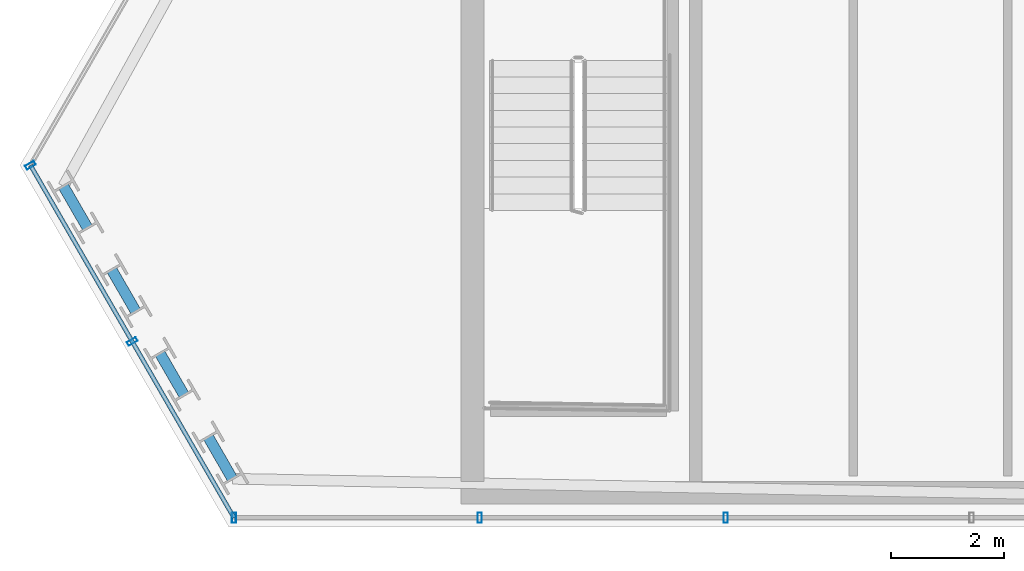
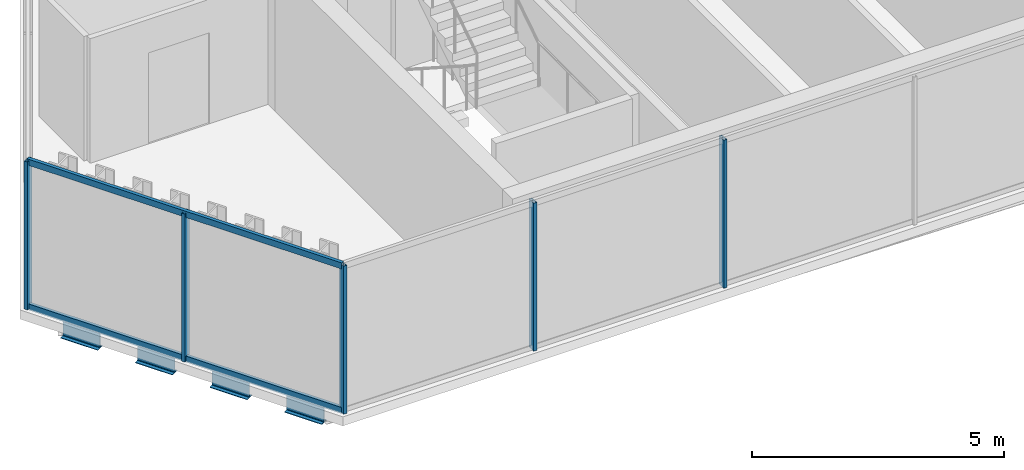
# One storey, part 2 of 29: 7 members, 4 beams, 2 elements without a shape of their own.
"""IFC4 building model written with IfcOpenShell, lengths in metres."""

from ifc_helpers import new_model, si_unit, direction, frame, origin, origin_2d, place, context, subcontext, project, spatial, hollow_rectangle, i_section, extrude, material, layer, layer_set, material_profile, profile_set, type_object, element, aggregate, save


model = new_model("IFC4")

# Units and contexts
model_context = context("Model", 3, precision=1e-05, world=origin(), true_north=direction((0.0, 1.0)))
body_context = subcontext(model_context, "Body", "Model", "MODEL_VIEW")
ifc_project = project(units=[si_unit("LENGTHUNIT", "METRE"), si_unit("AREAUNIT", "SQUARE_METRE"), si_unit("VOLUMEUNIT", "CUBIC_METRE"), si_unit("PLANEANGLEUNIT", "RADIAN"), si_unit("MASSUNIT", "GRAM", prefix="KILO")], contexts=[model_context])

# Site, building, storey
site_placement = place(None, origin())
site = spatial("IfcSite", under=ifc_project, at=site_placement, CompositionType="ELEMENT")
building_placement = place(site_placement, origin())
building = spatial("IfcBuilding", under=site, at=building_placement, Name="Ndaravel Arena Tower", CompositionType="ELEMENT")
storey_placement = place(building_placement, frame((0.0, 0.0, 233.199951171875)))
storey = spatial("IfcBuildingStorey", under=building, at=storey_placement, Name="L56", CompositionType="ELEMENT", Elevation=233.199951171875)

# Beams
ifc_material_1 = material(Name="Steel S355", Category="steel")
ifc_material_profile_1 = material_profile(ifc_material_1, i_section(OverallWidth=0.18994140625, OverallDepth=0.449951171875, WebThickness=0.009521484375, FlangeThickness=0.0146484375, FilletRadius=0.02099609375, at=origin_2d()), Name="IPE 450")
ifc_profile_set_1 = profile_set([ifc_material_profile_1], Name="Steel S355")
beam_type = type_object("IfcBeamType", Name="BM-SPAN-IPE450", PredefinedType="SPANDREL", material=ifc_profile_set_1)
for number, where, z_axis, x_axis, name in (
    (1, (19.41455078125, 11.025146484375, -0.445068359375), (0.5001680112, -0.86592838074, 0.0), (0.86592838074, 0.5001680112, 0.0), "L56 Perimeter Spandrel Beam SP-20"),
    (2, (20.268310546875, 9.54638671875, -0.445068359375), (0.5001680112, -0.86592838074, 0.0), (0.86592838074, 0.5001680112, 0.0), "L56 Perimeter Spandrel Beam SP-22"),
    (3, (21.1220703125, 8.06787109375, -0.445068359375), (0.499829718243, -0.866123693684, 0.0), (0.866123693684, 0.499829718243, 0.0), "L56 Perimeter Spandrel Beam SP-24"),
):
    element("IfcBeam", number, at=place(storey_placement, frame(where, z_axis=z_axis, x_axis=x_axis)), inside=storey, type_object=beam_type, Name=name, PredefinedType="SPANDREL", context=body_context, shape_type="SweptSolid", body=[
        extrude(i_section(OverallWidth=0.18994140625, OverallDepth=0.449951171875, WebThickness=0.009521484375, FlangeThickness=0.0146484375, FilletRadius=0.02099609375, at=origin_2d()), origin(), (0.0, 0.0, 1.0), 0.853759765625),
    ])
beam_placement = place(storey_placement, frame((21.9755859375, 6.589111328125, -0.445068359375), z_axis=(0.500044178772, -0.865999895656, 0.0), x_axis=(0.865999895656, 0.500044178772, 0.0)))
element("IfcBeam", 4, at=beam_placement, inside=storey, type_object=beam_type, Name="L56 Perimeter Spandrel Beam SP-26", PredefinedType="SPANDREL", context=body_context, shape_type="SweptSolid", body=[
    extrude(i_section(OverallWidth=0.18994140625, OverallDepth=0.449951171875, WebThickness=0.009521484375, FlangeThickness=0.0146484375, FilletRadius=0.02099609375, at=origin_2d()), origin(), (0.0, 0.0, 1.0), 0.85400390625),
])

# Curtain wall, members
ifc_material_2 = material(Name="Aluminium", Category="aluminium")
ifc_layer_1 = layer(ifc_material_2, 0.179931640625)
ifc_layer_set_1 = layer_set([ifc_layer_1], Name="Aluminium")
curtain_wall_type_1 = type_object("IfcCurtainWallType", Name="CW-SYS-03", PredefinedType="NOTDEFINED", material=ifc_layer_set_1)
curtain_wall_1_placement = place(storey_placement, origin())
curtain_wall_1 = element("IfcCurtainWall", 5, at=curtain_wall_1_placement, inside=storey, type_object=curtain_wall_type_1, Name="L56 Faceted Crystal Curtain Wall CW-L56-E01", PredefinedType="NOTDEFINED")
ifc_material_3 = material(Name="Aluminium", Category="aluminium")
ifc_material_profile_2 = material_profile(ifc_material_3, hollow_rectangle(XDim=0.074951171875, YDim=0.179931640625, WallThickness=0.00390625, at=origin_2d()), Name="CW MULLION 75x180x4")
ifc_profile_set_2 = profile_set([ifc_material_profile_2], Name="Aluminium")
member_type_1 = type_object("IfcMemberType", Name="MEM-CW-MUL180", PredefinedType="MULLION", material=ifc_profile_set_2)
member_1_placement = place(storey_placement, frame((22.431396484375, 5.159912109375, 0.0), z_axis=(0.0, 0.0, 1.0), x_axis=(1.0, 0.0, 0.0)))
member_1 = element("IfcMember", 6, at=member_1_placement, type_object=member_type_1, Name="CW-L56-E01 Mullion 00", PredefinedType="MULLION", context=body_context, shape_type="SweptSolid", body=[
    extrude(hollow_rectangle(XDim=0.074951171875, YDim=0.179931640625, WallThickness=0.00390625, at=origin_2d()), origin(), (0.0, 0.0, 1.0), 3.580078125),
])
member_2_placement = place(storey_placement, frame((26.77978515625, 5.159912109375, 0.0), z_axis=(0.0, 0.0, 1.0), x_axis=(1.0, 0.0, 0.0)))
member_2 = element("IfcMember", 7, at=member_2_placement, type_object=member_type_1, Name="CW-L56-E01 Mullion 01", PredefinedType="MULLION", context=body_context, shape_type="SweptSolid", body=[
    extrude(hollow_rectangle(XDim=0.074951171875, YDim=0.179931640625, WallThickness=0.00390625, at=origin_2d()), origin(), (0.0, 0.0, 1.0), 3.580078125),
])
member_3_placement = place(storey_placement, frame((31.12841796875, 5.159912109375, 0.0), z_axis=(0.0, 0.0, 1.0), x_axis=(1.0, 0.0, 0.0)))
member_3 = element("IfcMember", 8, at=member_3_placement, type_object=member_type_1, Name="CW-L56-E01 Mullion 02", PredefinedType="MULLION", context=body_context, shape_type="SweptSolid", body=[
    extrude(hollow_rectangle(XDim=0.074951171875, YDim=0.179931640625, WallThickness=0.00390625, at=origin_2d()), origin(), (0.0, 0.0, 1.0), 3.580078125),
])
aggregate(curtain_wall_1, [member_1, member_2, member_3])

ifc_material_4 = material(Name="Aluminium", Category="aluminium")
ifc_layer_2 = layer(ifc_material_4, 0.179931640625)
ifc_layer_set_2 = layer_set([ifc_layer_2], Name="Aluminium")
curtain_wall_type_2 = type_object("IfcCurtainWallType", Name="CW-SYS-02", PredefinedType="NOTDEFINED", material=ifc_layer_set_2)
curtain_wall_2_placement = place(storey_placement, origin())
curtain_wall_2 = element("IfcCurtainWall", 9, at=curtain_wall_2_placement, inside=storey, type_object=curtain_wall_type_2, Name="L56 Faceted Crystal Curtain Wall CW-L56-E06", PredefinedType="NOTDEFINED")
member_4_placement = place(storey_placement, frame((18.831787109375, 11.39501953125, 0.0), z_axis=(0.0, 0.0, 1.0), x_axis=(0.499984884929, -0.866034130299, 0.0)))
member_4 = element("IfcMember", 10, at=member_4_placement, type_object=member_type_1, Name="CW-L56-E06 Mullion 00", PredefinedType="MULLION", context=body_context, shape_type="SweptSolid", body=[
    extrude(hollow_rectangle(XDim=0.074951171875, YDim=0.179931640625, WallThickness=0.00390625, at=origin_2d()), origin(), (0.0, 0.0, 1.0), 3.580078125),
])
member_5_placement = place(storey_placement, frame((20.631591796875, 8.27734375, 0.0), z_axis=(0.0, 0.0, 1.0), x_axis=(0.499984884929, -0.866034130299, 0.0)))
member_5 = element("IfcMember", 11, at=member_5_placement, type_object=member_type_1, Name="CW-L56-E06 Mullion 01", PredefinedType="MULLION", context=body_context, shape_type="SweptSolid", body=[
    extrude(hollow_rectangle(XDim=0.074951171875, YDim=0.179931640625, WallThickness=0.00390625, at=origin_2d()), origin(), (0.0, 0.0, 1.0), 3.580078125),
])
ifc_material_5 = material(Name="Aluminium", Category="aluminium")
ifc_material_profile_3 = material_profile(ifc_material_5, hollow_rectangle(XDim=0.074951171875, YDim=0.14990234375, WallThickness=0.00390625, at=origin_2d()), Name="CW TRANSOM 75x150x4")
ifc_profile_set_3 = profile_set([ifc_material_profile_3], Name="Aluminium")
member_type_2 = type_object("IfcMemberType", Name="MEM-CW-TRN150", PredefinedType="USERDEFINED", material=ifc_profile_set_3)
member_6_placement = place(storey_placement, frame((18.831787109375, 11.39501953125, 0.0400390625), z_axis=(0.499975876118, -0.866039331266, 0.0), x_axis=(0.866039331266, 0.499975876118, 0.0)))
member_6 = element("IfcMember", 12, at=member_6_placement, type_object=member_type_2, Name="CW-L56-E06 Transom 01", ObjectType="TRANSOM", PredefinedType="USERDEFINED", context=body_context, shape_type="SweptSolid", body=[
    extrude(hollow_rectangle(XDim=0.074951171875, YDim=0.14990234375, WallThickness=0.00390625, at=origin_2d()), origin(), (0.0, 0.0, 1.0), 7.199462890625),
])
member_7_placement = place(storey_placement, frame((18.831787109375, 11.39501953125, 3.5400390625), z_axis=(0.499975876118, -0.866039331266, 0.0), x_axis=(0.866039331266, 0.499975876118, 0.0)))
member_7 = element("IfcMember", 13, at=member_7_placement, type_object=member_type_2, Name="CW-L56-E06 Transom 02", ObjectType="TRANSOM", PredefinedType="USERDEFINED", context=body_context, shape_type="SweptSolid", body=[
    extrude(hollow_rectangle(XDim=0.074951171875, YDim=0.14990234375, WallThickness=0.00390625, at=origin_2d()), origin(), (0.0, 0.0, 1.0), 7.199462890625),
])
aggregate(curtain_wall_2, [member_4, member_5, member_6, member_7])

save(model, "model.ifc")
